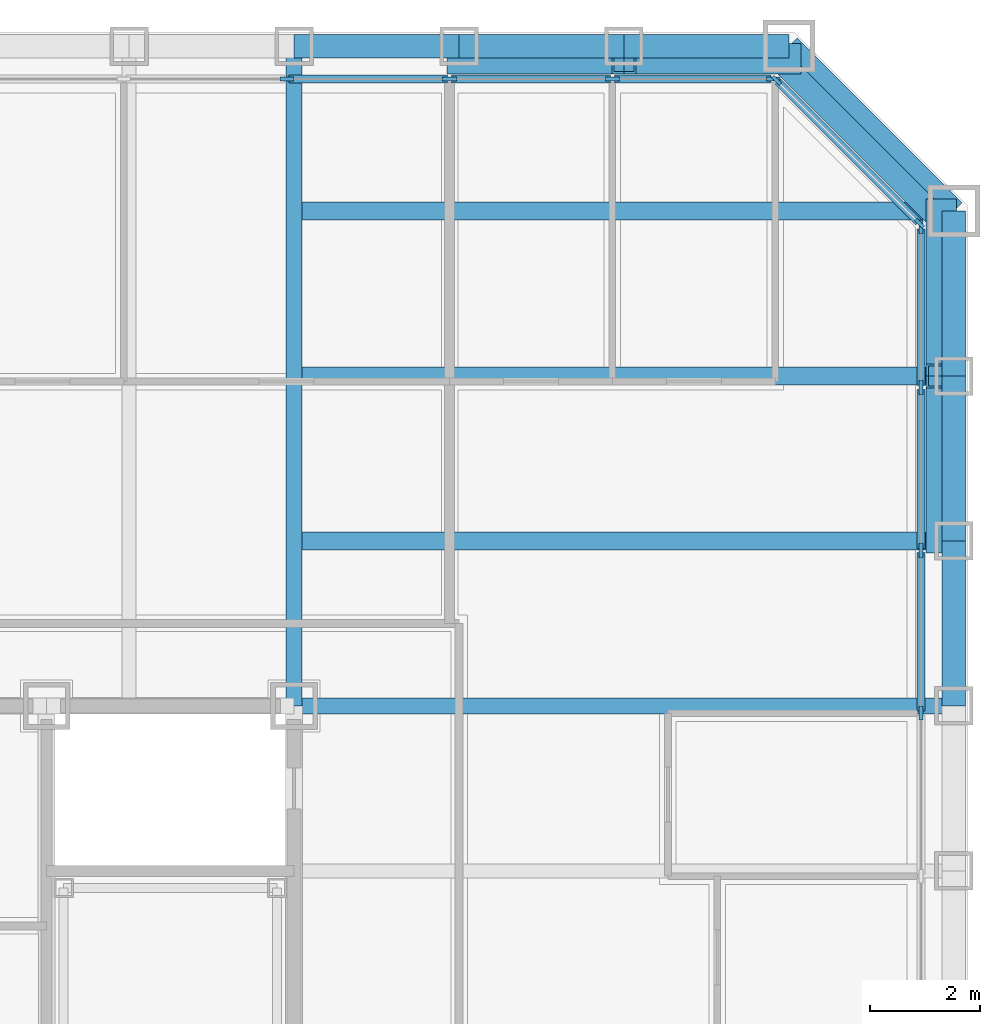
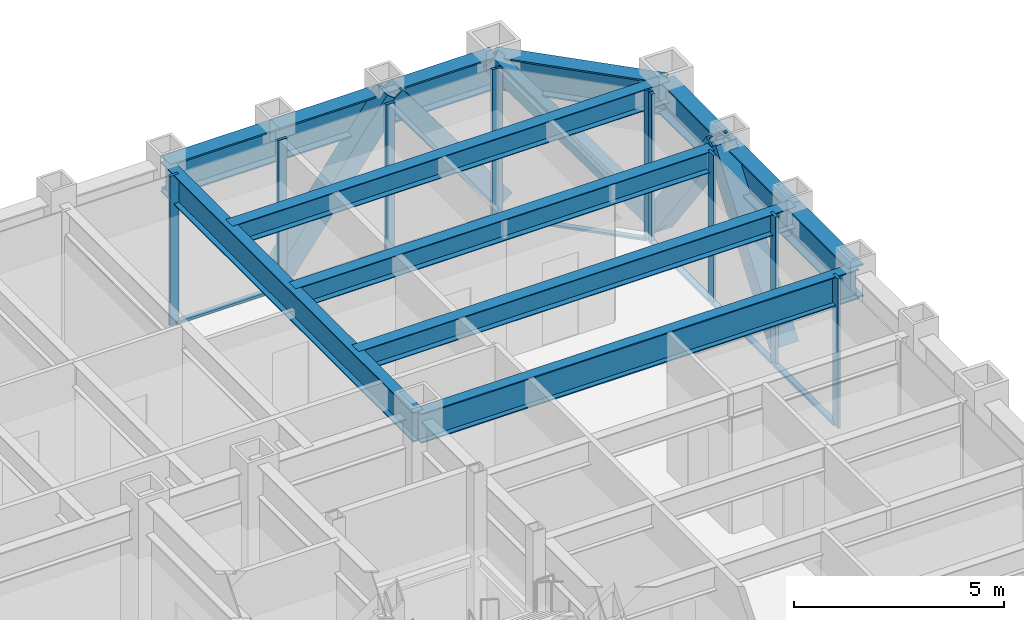
# One storey, part 6 of 16: 22 members, 12 beams, 3 elements without a shape of their own.
"""IFC4 building model written with IfcOpenShell, lengths in metres."""

from ifc_helpers import new_model, si_unit, direction, frame, origin, origin_2d, place, context, subcontext, project, spatial, rectangle, hollow_rectangle, i_section, extrude, material, layer, layer_set, material_profile, profile_set, type_object, element, aggregate, save


model = new_model("IFC4")

# Units and contexts
model_context = context("Model", 3, precision=1e-05, world=origin(), true_north=direction((0.0, 1.0)))
body_context = subcontext(model_context, "Body", "Model", "MODEL_VIEW")
ifc_project = project(units=[si_unit("LENGTHUNIT", "METRE"), si_unit("AREAUNIT", "SQUARE_METRE"), si_unit("VOLUMEUNIT", "CUBIC_METRE"), si_unit("PLANEANGLEUNIT", "RADIAN"), si_unit("MASSUNIT", "GRAM", prefix="KILO")], contexts=[model_context])

# Site, building, storey
site_placement = place(None, origin())
site = spatial("IfcSite", under=ifc_project, at=site_placement, CompositionType="ELEMENT")
building_placement = place(site_placement, origin())
building = spatial("IfcBuilding", under=site, at=building_placement, Name="Chuquiago Exchange Tower", CompositionType="ELEMENT")
storey_placement = place(building_placement, frame((0.0, 0.0, 78.300048828125)))
storey = spatial("IfcBuildingStorey", under=building, at=storey_placement, Name="L16", CompositionType="ELEMENT", Elevation=78.300048828125)

# Beams
ifc_material_1 = material(Name="Steel ASTM A992", Category="steel")
ifc_material_profile_1 = material_profile(ifc_material_1, i_section(OverallWidth=0.3251953125, OverallDepth=0.6171875, WebThickness=0.013916015625, FlangeThickness=0.021484375, at=origin_2d()), Name="W24X117")
ifc_profile_set_1 = profile_set([ifc_material_profile_1], Name="Steel ASTM A992")
beam_type_1 = type_object("IfcBeamType", Name="B5 W24X117", PredefinedType="BEAM", material=ifc_profile_set_1)
for number, where, z_axis, x_axis, name in (
    (1, (33.0, 36.0, 3.7314453125), (1.0, 0.0, 0.0), (0.0, 1.0, 0.0), "FB-L17-corner-33_36-45_36-0"),
    (2, (33.0, 39.0, 3.7314453125), (1.0, 0.0, 0.0), (0.0, 1.0, 0.0), "FB-L17-corner-33_39-45_39-0"),
    (3, (33.0, 42.0, 3.7314453125), (1.0, 0.0, 0.0), (0.0, 1.0, 0.0), "FB-L17-corner-33_42-45_42-0"),
):
    element("IfcBeam", number, at=place(storey_placement, frame(where, z_axis=z_axis, x_axis=x_axis)), inside=storey, type_object=beam_type_1, Name=name, PredefinedType="BEAM", context=body_context, shape_type="SweptSolid", body=[
        extrude(i_section(OverallWidth=0.3251953125, OverallDepth=0.6171875, WebThickness=0.013916015625, FlangeThickness=0.021484375, at=origin_2d()), origin(), (0.0, 0.0, 1.0), 12.0),
    ])

# Curtain wall, members
ifc_material_2 = material(Name="Aluminium curtain wall system", Category="aluminium")
ifc_layer_1 = layer(ifc_material_2, 0.25)
ifc_layer_set_1 = layer_set([ifc_layer_1], Name="CW1 trading floor curtain wall")
curtain_wall_type_1 = type_object("IfcCurtainWallType", Name="CW1 trading floor curtain wall", PredefinedType="NOTDEFINED", material=ifc_layer_set_1)
curtain_wall_1_placement = place(storey_placement, origin())
curtain_wall_1 = element("IfcCurtainWall", 4, at=curtain_wall_1_placement, inside=storey, type_object=curtain_wall_type_1, Name="CW1 curtain wall L16", PredefinedType="NOTDEFINED")
ifc_material_3 = material(Name="Aluminium mullion, pale anodised", Category="aluminium")
ifc_material_profile_2 = material_profile(ifc_material_3, rectangle(XDim=0.074951171875, YDim=0.25, at=origin_2d()), Name="AL 75x250")
ifc_profile_set_2 = profile_set([ifc_material_profile_2], Name="Aluminium mullion, pale anodised")
member_type_1 = type_object("IfcMemberType", Name="CW1-M mullion 75x250", PredefinedType="MULLION", material=ifc_profile_set_2)
member_1_placement = place(storey_placement, frame((44.39990234375, 32.8662109375, -0.300048828125), z_axis=(0.0, 0.0, 1.0), x_axis=(-1.0, 0.0, 0.0)))
member_1 = element("IfcMember", 5, at=member_1_placement, type_object=member_type_1, Name="CW1 mullion 11", PredefinedType="MULLION", context=body_context, shape_type="SweptSolid", body=[
    extrude(rectangle(XDim=0.074951171875, YDim=0.25, at=origin_2d()), origin(), (0.0, 0.0, 1.0), 4.340087890625),
])
member_2_placement = place(storey_placement, frame((44.39990234375, 35.827880859375, -0.300048828125), z_axis=(0.0, 0.0, 1.0), x_axis=(-1.0, 0.0, 0.0)))
member_2 = element("IfcMember", 6, at=member_2_placement, type_object=member_type_1, Name="CW1 mullion 12", PredefinedType="MULLION", context=body_context, shape_type="SweptSolid", body=[
    extrude(rectangle(XDim=0.074951171875, YDim=0.25, at=origin_2d()), origin(), (0.0, 0.0, 1.0), 4.340087890625),
])
member_3_placement = place(storey_placement, frame((44.39990234375, 38.789794921875, -0.300048828125), z_axis=(0.0, 0.0, 1.0), x_axis=(-1.0, 0.0, 0.0)))
member_3 = element("IfcMember", 7, at=member_3_placement, type_object=member_type_1, Name="CW1 mullion 13", PredefinedType="MULLION", context=body_context, shape_type="SweptSolid", body=[
    extrude(rectangle(XDim=0.074951171875, YDim=0.25, at=origin_2d()), origin(), (0.0, 0.0, 1.0), 4.340087890625),
])
member_4_placement = place(storey_placement, frame((44.39990234375, 41.714111328125, -0.300048828125), z_axis=(0.0, 0.0, 1.0), x_axis=(-1.0, 0.0, 0.0)))
member_4 = element("IfcMember", 8, at=member_4_placement, type_object=member_type_1, Name="CW1 mullion 14", PredefinedType="MULLION", context=body_context, shape_type="SweptSolid", body=[
    extrude(rectangle(XDim=0.074951171875, YDim=0.25, at=origin_2d()), origin(), (0.0, 0.0, 1.0), 4.340087890625),
])

curtain_wall_2_placement = place(storey_placement, origin())
curtain_wall_2 = element("IfcCurtainWall", 9, at=curtain_wall_2_placement, inside=storey, type_object=curtain_wall_type_1, Name="CW1 curtain wall L16", PredefinedType="NOTDEFINED")
member_5_placement = place(storey_placement, frame((41.714111328125, 44.39990234375, -0.300048828125), z_axis=(0.0, 0.0, 1.0), x_axis=(0.0, -1.0, 0.0)))
member_5 = element("IfcMember", 10, at=member_5_placement, type_object=member_type_1, Name="CW1 mullion 1", PredefinedType="MULLION", context=body_context, shape_type="SweptSolid", body=[
    extrude(rectangle(XDim=0.074951171875, YDim=0.25, at=origin_2d()), origin(), (0.0, 0.0, 1.0), 4.340087890625),
])
member_6_placement = place(storey_placement, frame((38.789794921875, 44.39990234375, -0.300048828125), z_axis=(0.0, 0.0, 1.0), x_axis=(0.0, -1.0, 0.0)))
member_6 = element("IfcMember", 11, at=member_6_placement, type_object=member_type_1, Name="CW1 mullion 2", PredefinedType="MULLION", context=body_context, shape_type="SweptSolid", body=[
    extrude(rectangle(XDim=0.074951171875, YDim=0.25, at=origin_2d()), origin(), (0.0, 0.0, 1.0), 4.340087890625),
])
member_7_placement = place(storey_placement, frame((35.827880859375, 44.39990234375, -0.300048828125), z_axis=(0.0, 0.0, 1.0), x_axis=(0.0, -1.0, 0.0)))
member_7 = element("IfcMember", 12, at=member_7_placement, type_object=member_type_1, Name="CW1 mullion 3", PredefinedType="MULLION", context=body_context, shape_type="SweptSolid", body=[
    extrude(rectangle(XDim=0.074951171875, YDim=0.25, at=origin_2d()), origin(), (0.0, 0.0, 1.0), 4.340087890625),
])
member_8_placement = place(storey_placement, frame((32.8662109375, 44.39990234375, -0.300048828125), z_axis=(0.0, 0.0, 1.0), x_axis=(0.0, -1.0, 0.0)))
member_8 = element("IfcMember", 13, at=member_8_placement, type_object=member_type_1, Name="CW1 mullion 4", PredefinedType="MULLION", context=body_context, shape_type="SweptSolid", body=[
    extrude(rectangle(XDim=0.074951171875, YDim=0.25, at=origin_2d()), origin(), (0.0, 0.0, 1.0), 4.340087890625),
])

# Member
ifc_material_4 = material(Name="Aluminium transom, pale anodised", Category="aluminium")
ifc_material_profile_3 = material_profile(ifc_material_4, rectangle(XDim=0.14990234375, YDim=0.074951171875, at=origin_2d()), Name="AL 150x75")
ifc_profile_set_3 = profile_set([ifc_material_profile_3], Name="Aluminium transom, pale anodised")
member_type_2 = type_object("IfcMemberType", Name="CW1-T transom 75x150", PredefinedType="MULLION", material=ifc_profile_set_3)
member_9_placement = place(storey_placement, frame((44.39990234375, 32.90380859375, -0.262451171875), z_axis=(0.0, 1.0, 0.0), x_axis=(-1.0, 0.0, 0.0)))
member_9 = element("IfcMember", 14, at=member_9_placement, type_object=member_type_2, Name="CW1 transom 11.1", PredefinedType="MULLION", context=body_context, shape_type="SweptSolid", body=[
    extrude(rectangle(XDim=0.14990234375, YDim=0.074951171875, at=origin_2d()), origin(), (0.0, 0.0, 1.0), 2.88671875),
])

member_10_placement = place(storey_placement, frame((44.39990234375, 35.865478515625, -0.262451171875), z_axis=(0.0, 1.0, 0.0), x_axis=(-1.0, 0.0, 0.0)))
member_10 = element("IfcMember", 15, at=member_10_placement, type_object=member_type_2, Name="CW1 transom 12.1", PredefinedType="MULLION", context=body_context, shape_type="SweptSolid", body=[
    extrude(rectangle(XDim=0.14990234375, YDim=0.074951171875, at=origin_2d()), origin(), (0.0, 0.0, 1.0), 2.88671875),
])

member_11_placement = place(storey_placement, frame((44.39990234375, 38.8271484375, -0.262451171875), z_axis=(0.0, 1.0, 0.0), x_axis=(-1.0, 0.0, 0.0)))
member_11 = element("IfcMember", 16, at=member_11_placement, type_object=member_type_2, Name="CW1 transom 13.1", PredefinedType="MULLION", context=body_context, shape_type="SweptSolid", body=[
    extrude(rectangle(XDim=0.14990234375, YDim=0.074951171875, at=origin_2d()), origin(), (0.0, 0.0, 1.0), 2.849365234375),
])

aggregate(curtain_wall_1, [member_1, member_2, member_3, member_4, member_9, member_10, member_11])

member_12_placement = place(storey_placement, frame((41.676513671875, 44.39990234375, -0.262451171875), z_axis=(-1.0, 0.0, 0.0), x_axis=(0.0, -1.0, 0.0)))
member_12 = element("IfcMember", 17, at=member_12_placement, type_object=member_type_2, Name="CW1 transom 1.1", PredefinedType="MULLION", context=body_context, shape_type="SweptSolid", body=[
    extrude(rectangle(XDim=0.14990234375, YDim=0.074951171875, at=origin_2d()), origin(), (0.0, 0.0, 1.0), 2.849365234375),
])

member_13_placement = place(storey_placement, frame((38.752197265625, 44.39990234375, -0.262451171875), z_axis=(-1.0, 0.0, 0.0), x_axis=(0.0, -1.0, 0.0)))
member_13 = element("IfcMember", 18, at=member_13_placement, type_object=member_type_2, Name="CW1 transom 2.1", PredefinedType="MULLION", context=body_context, shape_type="SweptSolid", body=[
    extrude(rectangle(XDim=0.14990234375, YDim=0.074951171875, at=origin_2d()), origin(), (0.0, 0.0, 1.0), 2.88671875),
])

member_14_placement = place(storey_placement, frame((35.79052734375, 44.39990234375, -0.262451171875), z_axis=(-1.0, 0.0, 0.0), x_axis=(0.0, -1.0, 0.0)))
member_14 = element("IfcMember", 19, at=member_14_placement, type_object=member_type_2, Name="CW1 transom 3.1", PredefinedType="MULLION", context=body_context, shape_type="SweptSolid", body=[
    extrude(rectangle(XDim=0.14990234375, YDim=0.074951171875, at=origin_2d()), origin(), (0.0, 0.0, 1.0), 2.88671875),
])

aggregate(curtain_wall_2, [member_5, member_6, member_7, member_8, member_12, member_13, member_14])

# Curtain wall, members
ifc_material_5 = material(Name="Aluminium curtain wall system", Category="aluminium")
ifc_layer_2 = layer(ifc_material_5, 0.199951171875)
ifc_layer_set_2 = layer_set([ifc_layer_2], Name="CW3 facet curtain wall")
curtain_wall_type_2 = type_object("IfcCurtainWallType", Name="CW3 facet curtain wall", PredefinedType="NOTDEFINED", material=ifc_layer_set_2)
curtain_wall_3_placement = place(storey_placement, origin())
curtain_wall_3 = element("IfcCurtainWall", 20, at=curtain_wall_3_placement, inside=storey, type_object=curtain_wall_type_2, Name="CW3 curtain wall L16", PredefinedType="NOTDEFINED")
ifc_material_6 = material(Name="Aluminium mullion, pale anodised", Category="aluminium")
ifc_material_profile_4 = material_profile(ifc_material_6, rectangle(XDim=0.06494140625, YDim=0.199951171875, at=origin_2d()), Name="AL 65x200")
ifc_profile_set_4 = profile_set([ifc_material_profile_4], Name="Aluminium mullion, pale anodised")
member_type_3 = type_object("IfcMemberType", Name="CW3-M mullion 65x200", PredefinedType="MULLION", material=ifc_profile_set_4)
member_15_placement = place(storey_placement, frame((44.376953125, 41.7744140625, -0.300048828125), z_axis=(0.0, 0.0, 1.0), x_axis=(-0.707106781187, -0.707106781187, 0.0)))
member_15 = element("IfcMember", 21, at=member_15_placement, type_object=member_type_3, Name="CW3 mullion 1", PredefinedType="MULLION", context=body_context, shape_type="SweptSolid", body=[
    extrude(rectangle(XDim=0.06494140625, YDim=0.199951171875, at=origin_2d()), origin(), (0.0, 0.0, 1.0), 4.340087890625),
])
member_16_placement = place(storey_placement, frame((41.7744140625, 44.376953125, -0.300048828125), z_axis=(0.0, 0.0, 1.0), x_axis=(-0.707106781187, -0.707106781187, 0.0)))
member_16 = element("IfcMember", 22, at=member_16_placement, type_object=member_type_3, Name="CW3 mullion 2", PredefinedType="MULLION", context=body_context, shape_type="SweptSolid", body=[
    extrude(rectangle(XDim=0.06494140625, YDim=0.199951171875, at=origin_2d()), origin(), (0.0, 0.0, 1.0), 4.340087890625),
])
ifc_material_7 = material(Name="Aluminium transom, pale anodised", Category="aluminium")
ifc_material_profile_5 = material_profile(ifc_material_7, rectangle(XDim=0.139892578125, YDim=0.06494140625, at=origin_2d()), Name="AL 140x65")
ifc_profile_set_5 = profile_set([ifc_material_profile_5], Name="Aluminium transom, pale anodised")
member_type_4 = type_object("IfcMemberType", Name="CW3-T transom 65x140", PredefinedType="MULLION", material=ifc_profile_set_5)
member_17_placement = place(storey_placement, frame((44.35400390625, 41.79736328125, -0.267578125), z_axis=(-0.707106781187, 0.707106781187, 0.0), x_axis=(-0.707106781187, -0.707106781187, 0.0)))
member_17 = element("IfcMember", 23, at=member_17_placement, type_object=member_type_4, Name="CW3 transom 1.1", PredefinedType="MULLION", context=body_context, shape_type="SweptSolid", body=[
    extrude(rectangle(XDim=0.139892578125, YDim=0.06494140625, at=origin_2d()), origin(), (0.0, 0.0, 1.0), 3.61572265625),
])
aggregate(curtain_wall_3, [member_15, member_16, member_17])

# Beams
ifc_material_8 = material(Name="Steel ASTM A992", Category="steel")
ifc_material_profile_6 = material_profile(ifc_material_8, i_section(OverallWidth=0.2919921875, OverallDepth=0.8583984375, WebThickness=0.01708984375, FlangeThickness=0.031005859375, at=origin_2d()), Name="W33X169")
ifc_profile_set_6 = profile_set([ifc_material_profile_6], Name="Steel ASTM A992")
beam_type_2 = type_object("IfcBeamType", Name="G2 W33X169", PredefinedType="BEAM", material=ifc_profile_set_6)
for number, where, z_axis, x_axis, name in (
    (24, (33.0, 33.0, 3.610595703125), (0.0, 1.0, 0.0), (-1.0, 0.0, 0.0), "FB-L17-girder-33_33-33_45-0"),
    (25, (33.0, 33.0, 3.610595703125), (1.0, 0.0, 0.0), (0.0, 1.0, 0.0), "FB-L17-girder-33_33-45_33-0"),
):
    element("IfcBeam", number, at=place(storey_placement, frame(where, z_axis=z_axis, x_axis=x_axis)), inside=storey, type_object=beam_type_2, Name=name, PredefinedType="BEAM", context=body_context, shape_type="SweptSolid", body=[
        extrude(i_section(OverallWidth=0.2919921875, OverallDepth=0.8583984375, WebThickness=0.01708984375, FlangeThickness=0.031005859375, at=origin_2d()), origin(), (0.0, 0.0, 1.0), 12.0),
    ])

# Members
ifc_material_9 = material(Name="Steel ASTM A500 Grade C", Category="steel")
ifc_material_profile_7 = material_profile(ifc_material_9, hollow_rectangle(XDim=0.406494140625, YDim=0.406494140625, WallThickness=0.0146484375, at=origin_2d()), Name="HSS16X16X5/8")
ifc_profile_set_7 = profile_set([ifc_material_profile_7], Name="Steel ASTM A500 Grade C")
member_type_5 = type_object("IfcMemberType", Name="LB4 HSS16X16X5/8", PredefinedType="BRACE", material=ifc_profile_set_7)
member_18_placement = place(storey_placement, frame((44.78662109375, 41.78662109375, 0.0), z_axis=(-0.512077265487, 0.512077265487, 0.689604051861), x_axis=(-0.707106781187, -0.707106781187, 0.0)))
element("IfcMember", 26, at=member_18_placement, inside=storey, type_object=member_type_5, Name="LB-L16-45_42-42_45", PredefinedType="BRACE", context=body_context, shape_type="SweptSolid", body=[
    extrude(hollow_rectangle(XDim=0.406494140625, YDim=0.406494140625, WallThickness=0.0146484375, at=origin_2d()), origin(), (0.0, 0.0, 1.0), 5.8583984375),
])
ifc_material_10 = material(Name="Steel ASTM A572 Grade 50", Category="steel")
ifc_material_profile_8 = material_profile(ifc_material_10, hollow_rectangle(XDim=0.550048828125, YDim=0.550048828125, WallThickness=0.044921875, at=origin_2d()), Name="BOX550X550X45")
ifc_profile_set_8 = profile_set([ifc_material_profile_8], Name="Steel ASTM A572 Grade 50")
member_type_6 = type_object("IfcMemberType", Name="MB1 BOX550X550X45", PredefinedType="BRACE", material=ifc_profile_set_8)
for number, where, z_axis, x_axis, name in (
    (27, (44.77001953125, 36.0, 0.0), (0.0, 0.596173923302, 0.802855312728), (-1.0, 0.0, 0.0), "Mega diagonal L16 E face"),
    (28, (44.77001953125, 42.0, 0.0), (0.0, -0.596173923302, 0.802855312728), (1.0, 0.0, 0.0), "Mega diagonal L16 E face"),
    (29, (42.0, 44.77001953125, 0.0), (-0.596173923302, 0.0, 0.802855312728), (0.0, -1.0, 0.0), "Mega diagonal L16 N face"),
    (30, (36.0, 44.77001953125, 0.0), (0.596173923302, 0.0, 0.802855312728), (0.0, 1.0, 0.0), "Mega diagonal L16 N face"),
):
    element("IfcMember", number, at=place(storey_placement, frame(where, z_axis=z_axis, x_axis=x_axis)), inside=storey, type_object=member_type_6, Name=name, PredefinedType="BRACE", context=body_context, shape_type="SweptSolid", body=[
        extrude(hollow_rectangle(XDim=0.550048828125, YDim=0.550048828125, WallThickness=0.044921875, at=origin_2d()), origin(), (0.0, 0.0, 1.0), 5.031982421875),
    ])

# Beams
ifc_material_11 = material(Name="Steel ASTM A992", Category="steel")
ifc_material_profile_9 = material_profile(ifc_material_11, i_section(OverallWidth=0.424072265625, OverallDepth=0.947509765625, WebThickness=0.02392578125, FlangeThickness=0.042724609375, at=origin_2d()), Name="W36X302")
ifc_profile_set_9 = profile_set([ifc_material_profile_9], Name="Steel ASTM A992")
beam_type_3 = type_object("IfcBeamType", Name="SP1 W36X302", PredefinedType="SPANDREL", material=ifc_profile_set_9)
for number, where, z_axis, x_axis, name in (
    (31, (45.0, 33.0, 3.566162109375), (0.0, 1.0, 0.0), (-1.0, 0.0, 0.0), "SPB-L17-45_33-45_36"),
    (32, (45.0, 36.0, 3.566162109375), (0.0, 1.0, 0.0), (-1.0, 0.0, 0.0), "SPB-L17-45_36-45_39"),
    (33, (45.0, 39.0, 3.566162109375), (0.0, 1.0, 0.0), (-1.0, 0.0, 0.0), "SPB-L17-45_39-45_42"),
):
    element("IfcBeam", number, at=place(storey_placement, frame(where, z_axis=z_axis, x_axis=x_axis)), inside=storey, type_object=beam_type_3, Name=name, PredefinedType="SPANDREL", context=body_context, shape_type="SweptSolid", body=[
        extrude(i_section(OverallWidth=0.424072265625, OverallDepth=0.947509765625, WebThickness=0.02392578125, FlangeThickness=0.042724609375, at=origin_2d()), origin(), (0.0, 0.0, 1.0), 3.0),
    ])
beam_placement = place(storey_placement, frame((45.0, 42.0, 3.566162109375), z_axis=(-0.707106781187, 0.707106781187, 0.0), x_axis=(-0.707106781187, -0.707106781187, 0.0)))
element("IfcBeam", 34, at=beam_placement, inside=storey, type_object=beam_type_3, Name="SPB-L17-45_42-42_45", PredefinedType="SPANDREL", context=body_context, shape_type="SweptSolid", body=[
    extrude(i_section(OverallWidth=0.424072265625, OverallDepth=0.947509765625, WebThickness=0.02392578125, FlangeThickness=0.042724609375, at=origin_2d()), origin(), (0.0, 0.0, 1.0), 4.24267578125),
])
for number, where, z_axis, x_axis, name in (
    (35, (42.0, 45.0, 3.566162109375), (-1.0, 0.0, 0.0), (0.0, -1.0, 0.0), "SPB-L17-42_45-39_45"),
    (36, (39.0, 45.0, 3.566162109375), (-1.0, 0.0, 0.0), (0.0, -1.0, 0.0), "SPB-L17-39_45-36_45"),
    (37, (36.0, 45.0, 3.566162109375), (-1.0, 0.0, 0.0), (0.0, -1.0, 0.0), "SPB-L17-36_45-33_45"),
):
    element("IfcBeam", number, at=place(storey_placement, frame(where, z_axis=z_axis, x_axis=x_axis)), inside=storey, type_object=beam_type_3, Name=name, PredefinedType="SPANDREL", context=body_context, shape_type="SweptSolid", body=[
        extrude(i_section(OverallWidth=0.424072265625, OverallDepth=0.947509765625, WebThickness=0.02392578125, FlangeThickness=0.042724609375, at=origin_2d()), origin(), (0.0, 0.0, 1.0), 3.0),
    ])

save(model, "model.ifc")
